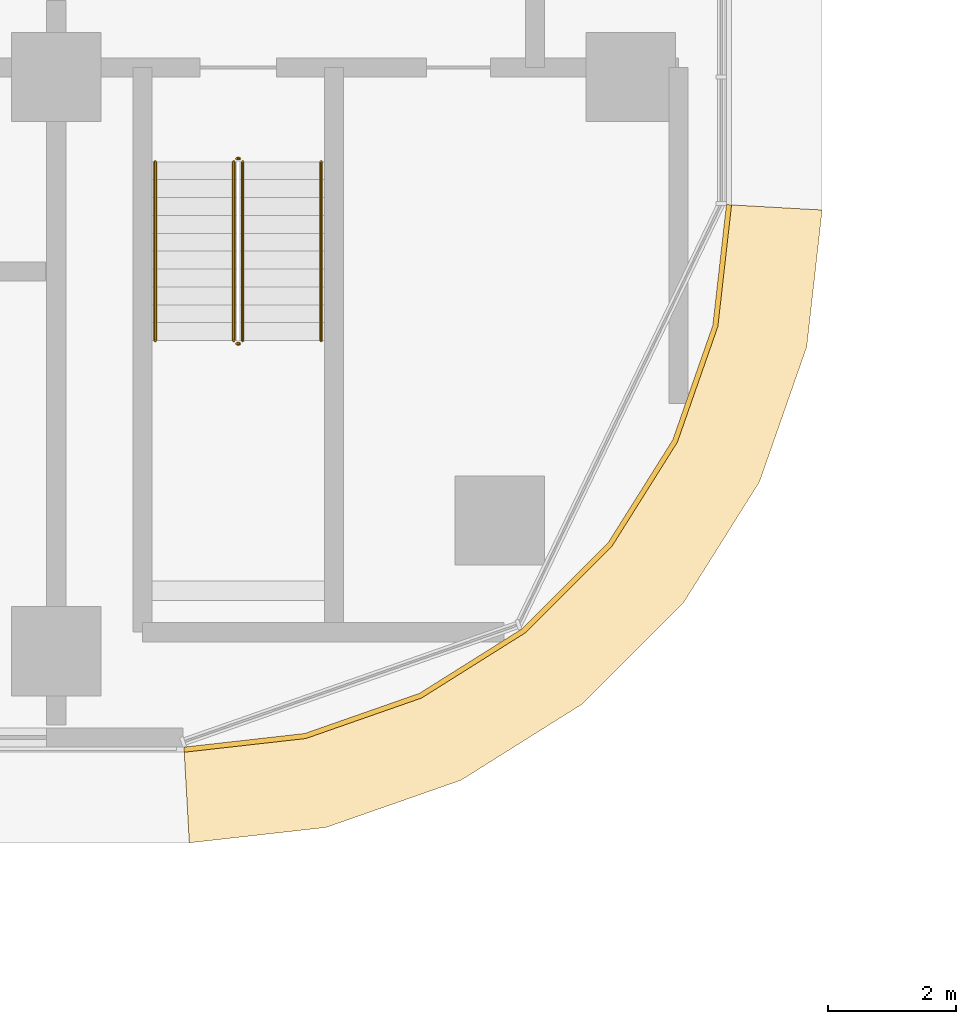
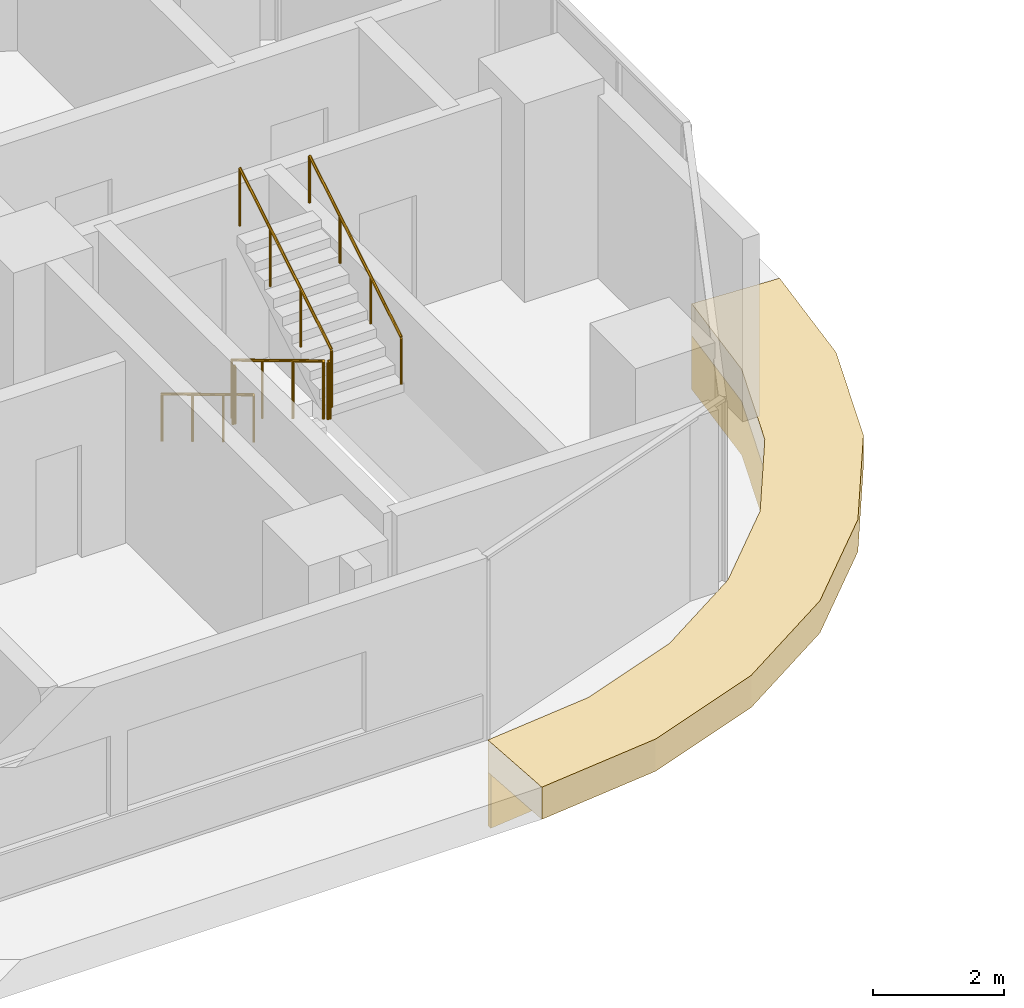
# One storey, part 31 of 36: 6 railings, 2 coverings.
"""IFC4 building model written with IfcOpenShell, lengths in metres."""

from ifc_helpers import new_model, si_unit, direction, frame, origin, origin_2d, place, context, subcontext, project, spatial, polyline, circle, outline, extrude, material, layer, layer_set, type_object, element, save


model = new_model("IFC4")

# Units and contexts
model_context = context("Model", 3, precision=1e-05, world=origin(), true_north=direction((0.0, 1.0)))
body_context = subcontext(model_context, "Body", "Model", "MODEL_VIEW")
ifc_project = project(units=[si_unit("LENGTHUNIT", "METRE"), si_unit("AREAUNIT", "SQUARE_METRE"), si_unit("VOLUMEUNIT", "CUBIC_METRE"), si_unit("PLANEANGLEUNIT", "RADIAN"), si_unit("MASSUNIT", "GRAM", prefix="KILO")], contexts=[model_context])

# Site, building, storey
site_placement = place(None, origin())
site = spatial("IfcSite", under=ifc_project, at=site_placement, CompositionType="ELEMENT")
building_placement = place(site_placement, origin())
building = spatial("IfcBuilding", under=site, at=building_placement, Name="Ogive Portal Towers", CompositionType="ELEMENT")
storey_placement = place(building_placement, frame((0.0, 0.0, 70.5)))
storey = spatial("IfcBuildingStorey", under=building, at=storey_placement, Name="L16", CompositionType="ELEMENT", Elevation=70.5)

# Railings
ifc_material_1 = material(Name="Stainless steel balustrade", Category="steel")
railing_type_1 = type_object("IfcRailingType", Name="INT-GUARD", PredefinedType="GUARDRAIL", material=ifc_material_1)
railing_1_placement = place(storey_placement, frame((88.280029296875, 29.169921875, 0.168212890625)))
element("IfcRailing", 1, at=railing_1_placement, inside=storey, type_object=railing_type_1, Name="L16 ST-A4 stair guard 1", PredefinedType="GUARDRAIL", context=body_context, shape_type="SweptSolid", body=[
    extrude(circle(Radius=0.02392578125, at=origin_2d()), frame((0.0, 0.0, 1.076171875), z_axis=(0.0, -0.857222391501, 0.514946377315), x_axis=(1.0, 0.0, 0.0)), (0.0, 0.0, 1.0), 3.26611328125),
    extrude(circle(Radius=0.02099609375, at=origin_2d()), origin(), (0.0, 0.0, 1.0), 1.052001953125),
    extrude(circle(Radius=0.02099609375, at=origin_2d()), frame((0.0, -0.933349609375, 0.560546875)), (0.0, 0.0, 1.0), 1.052001953125),
    extrude(circle(Radius=0.02099609375, at=origin_2d()), frame((0.0, -1.866455078125, 1.121337890625)), (0.0, 0.0, 1.0), 1.052001953125),
    extrude(circle(Radius=0.02099609375, at=origin_2d()), frame((0.0, -2.7998046875, 1.681884765625)), (0.0, 0.0, 1.0), 1.052001953125),
])
railing_2_placement = place(storey_placement, frame((88.330078125, 26.320068359375, 1.85009765625)))
element("IfcRailing", 2, at=railing_2_placement, inside=storey, type_object=railing_type_1, Name="L16 ST-A4 stair guard 2", PredefinedType="GUARDRAIL", context=body_context, shape_type="SweptSolid", body=[
    extrude(circle(Radius=0.02392578125, at=origin_2d()), frame((0.0, 0.0, 1.076171875), z_axis=(1.0, 0.0, 0.0), x_axis=(0.0, 1.0, 0.0)), (0.0, 0.0, 1.0), 0.0400390625),
    extrude(circle(Radius=0.02099609375, at=origin_2d()), origin(), (0.0, 0.0, 1.0), 1.052001953125),
    extrude(circle(Radius=0.02099609375, at=origin_2d()), frame((0.0400390625, 0.0, 0.0)), (0.0, 0.0, 1.0), 1.052001953125),
])
railing_3_placement = place(storey_placement, frame((88.419921875, 26.3701171875, 2.01806640625)))
element("IfcRailing", 3, at=railing_3_placement, inside=storey, type_object=railing_type_1, Name="L16 ST-A4 stair guard 3", PredefinedType="GUARDRAIL", context=body_context, shape_type="SweptSolid", body=[
    extrude(circle(Radius=0.02392578125, at=origin_2d()), frame((0.0, 0.0, 1.076171875), z_axis=(0.0, 0.857222391501, 0.514946377315), x_axis=(-1.0, 0.0, 0.0)), (0.0, 0.0, 1.0), 3.26611328125),
    extrude(circle(Radius=0.02099609375, at=origin_2d()), origin(), (0.0, 0.0, 1.0), 1.052001953125),
    extrude(circle(Radius=0.02099609375, at=origin_2d()), frame((0.0, 0.933349609375, 0.560546875)), (0.0, 0.0, 1.0), 1.052001953125),
    extrude(circle(Radius=0.02099609375, at=origin_2d()), frame((0.0, 1.866455078125, 1.121337890625)), (0.0, 0.0, 1.0), 1.052001953125),
    extrude(circle(Radius=0.02099609375, at=origin_2d()), frame((0.0, 2.7998046875, 1.681884765625)), (0.0, 0.0, 1.0), 1.052001953125),
])
railing_4_placement = place(storey_placement, frame((88.330078125, 29.219970703125, 0.0)))
element("IfcRailing", 4, at=railing_4_placement, inside=storey, type_object=railing_type_1, Name="L16 ST-A4 stair guard 4", PredefinedType="GUARDRAIL", context=body_context, shape_type="SweptSolid", body=[
    extrude(circle(Radius=0.02392578125, at=origin_2d()), frame((0.0, 0.0, 1.076171875), z_axis=(1.0, 0.0, 0.0), x_axis=(0.0, 1.0, 0.0)), (0.0, 0.0, 1.0), 0.0400390625),
    extrude(circle(Radius=0.02099609375, at=origin_2d()), origin(), (0.0, 0.0, 1.0), 1.052001953125),
    extrude(circle(Radius=0.02099609375, at=origin_2d()), frame((0.0400390625, 0.0, 0.0)), (0.0, 0.0, 1.0), 1.052001953125),
])
ifc_material_2 = material(Name="Stainless steel handrail", Category="steel")
railing_type_2 = type_object("IfcRailingType", Name="INT-HANDRAIL", PredefinedType="HANDRAIL", material=ifc_material_2)
railing_5_placement = place(storey_placement, frame((87.050048828125, 29.169921875, 0.168212890625)))
element("IfcRailing", 5, at=railing_5_placement, inside=storey, type_object=railing_type_2, Name="L16 ST-A4 stair handrail 1", PredefinedType="HANDRAIL", context=body_context, shape_type="SweptSolid", body=[
    extrude(circle(Radius=0.02392578125, at=origin_2d()), frame((0.0, 0.0, 0.8759765625), z_axis=(0.0, -0.857222391501, 0.514946377315), x_axis=(1.0, 0.0, 0.0)), (0.0, 0.0, 1.0), 3.26611328125),
    extrude(circle(Radius=0.02099609375, at=origin_2d()), origin(), (0.0, 0.0, 1.0), 0.851806640625),
    extrude(circle(Radius=0.02099609375, at=origin_2d()), frame((0.0, -0.933349609375, 0.560546875)), (0.0, 0.0, 1.0), 0.851806640625),
    extrude(circle(Radius=0.02099609375, at=origin_2d()), frame((0.0, -1.866455078125, 1.121337890625)), (0.0, 0.0, 1.0), 0.851806640625),
    extrude(circle(Radius=0.02099609375, at=origin_2d()), frame((0.0, -2.7998046875, 1.681884765625)), (0.0, 0.0, 1.0), 0.851806640625),
])
railing_6_placement = place(storey_placement, frame((89.64990234375, 26.3701171875, 2.01806640625)))
element("IfcRailing", 6, at=railing_6_placement, inside=storey, type_object=railing_type_2, Name="L16 ST-A4 stair handrail 2", PredefinedType="HANDRAIL", context=body_context, shape_type="SweptSolid", body=[
    extrude(circle(Radius=0.02392578125, at=origin_2d()), frame((0.0, 0.0, 0.8759765625), z_axis=(0.0, 0.857222391501, 0.514946377315), x_axis=(-1.0, 0.0, 0.0)), (0.0, 0.0, 1.0), 3.26611328125),
    extrude(circle(Radius=0.02099609375, at=origin_2d()), origin(), (0.0, 0.0, 1.0), 0.851806640625),
    extrude(circle(Radius=0.02099609375, at=origin_2d()), frame((0.0, 0.933349609375, 0.560546875)), (0.0, 0.0, 1.0), 0.851806640625),
    extrude(circle(Radius=0.02099609375, at=origin_2d()), frame((0.0, 1.866455078125, 1.121337890625)), (0.0, 0.0, 1.0), 0.851806640625),
    extrude(circle(Radius=0.02099609375, at=origin_2d()), frame((0.0, 2.7998046875, 1.681884765625)), (0.0, 0.0, 1.0), 0.851806640625),
])

# Coverings
ifc_material_3 = material(Name="Limestone cladding on lightweight block wall", Category="masonry")
ifc_layer_1 = layer(ifc_material_3, 0.080078125)
ifc_layer_set_1 = layer_set([ifc_layer_1], Name="STONE SPANDREL 80")
covering_type_1 = type_object("IfcCoveringType", Name="STONE SPANDREL 80", PredefinedType="CLADDING", material=ifc_layer_set_1)
covering_1_placement = place(storey_placement, frame((0.0, 0.0, -1.60009765625)))
element("IfcCovering", 7, at=covering_1_placement, inside=storey, type_object=covering_type_1, Name="Stone spandrel A1-F06", PredefinedType="CLADDING", context=body_context, shape_type="SweptSolid", body=[
    extrude(outline(polyline([(87.5, 20.0), (89.391357421875, 20.213134765625), (91.18798828125, 20.841796875), (92.799560546875, 21.8544921875), (94.1455078125, 23.200439453125), (95.158203125, 24.81201171875), (95.786865234375, 26.608642578125), (96.0, 28.5), (96.080078125, 28.49560546875), (95.865478515625, 26.590576171875), (95.230712890625, 24.777099609375), (94.20849609375, 23.150146484375), (92.849853515625, 21.79150390625), (91.222900390625, 20.769287109375), (89.409423828125, 20.134521484375), (87.50439453125, 19.919921875), (87.5, 20.0)])), origin(), (0.0, 0.0, 1.0), 1.0),
])
ifc_layer_2 = layer(ifc_material_3, 0.60009765625)
ifc_layer_set_2 = layer_set([ifc_layer_2], Name="SUNSHADE LIP 600")
covering_type_2 = type_object("IfcCoveringType", Name="SUNSHADE LIP 600", PredefinedType="CLADDING", material=ifc_layer_set_2)
covering_2_placement = place(storey_placement, frame((0.0, 0.0, -0.60009765625)))
element("IfcCovering", 8, at=covering_2_placement, inside=storey, type_object=covering_type_2, Name="Sunshade lip A1-F06", PredefinedType="CLADDING", context=body_context, shape_type="SweptSolid", body=[
    extrude(outline(polyline([(87.5, 20.0), (89.391357421875, 20.213134765625), (91.18798828125, 20.841796875), (92.799560546875, 21.8544921875), (94.1455078125, 23.200439453125), (95.158203125, 24.81201171875), (95.786865234375, 26.608642578125), (96.0, 28.5), (97.5, 28.415771484375), (97.258544921875, 26.272705078125), (96.518310546875, 24.156982421875), (95.32568359375, 22.25927734375), (93.74072265625, 20.67431640625), (91.843017578125, 19.481689453125), (89.727294921875, 18.741455078125), (87.584228515625, 18.5), (87.5, 20.0)])), origin(), (0.0, 0.0, 1.0), 0.60009765625),
])

save(model, "model.ifc")
